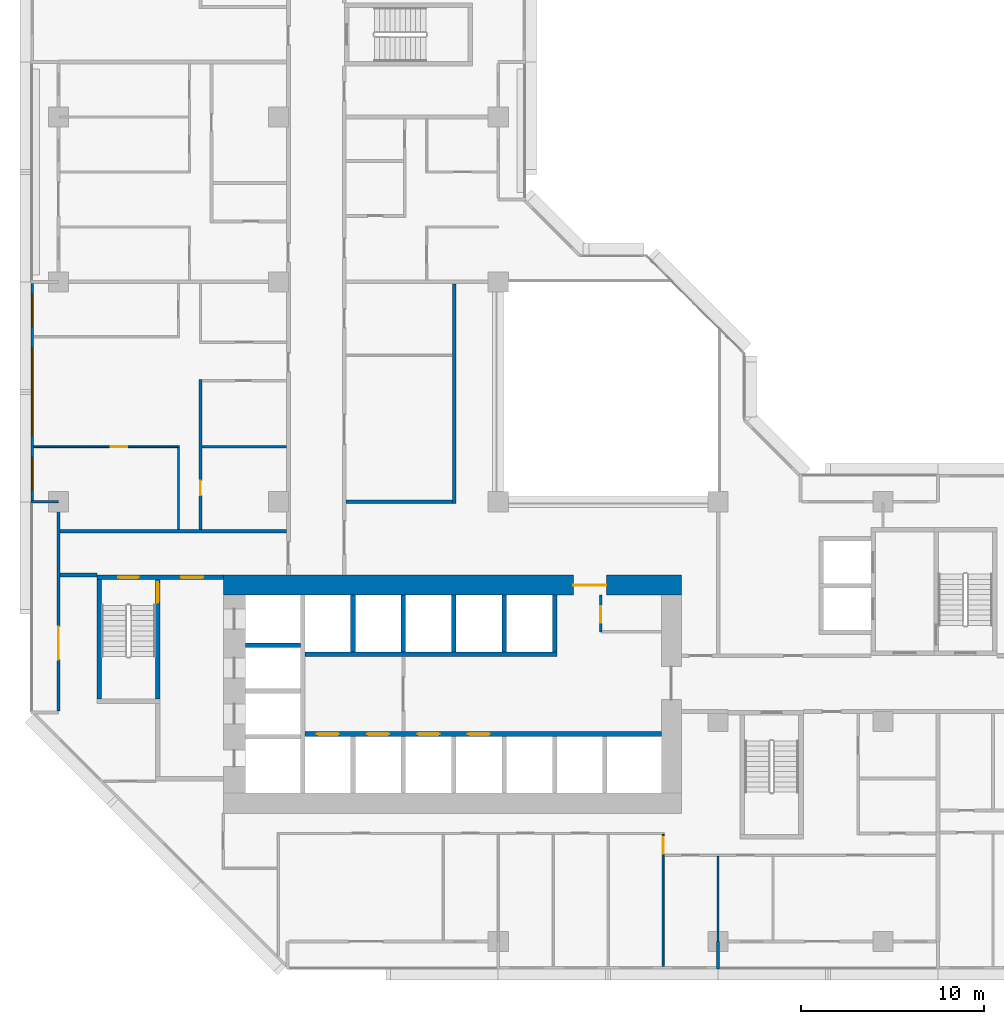
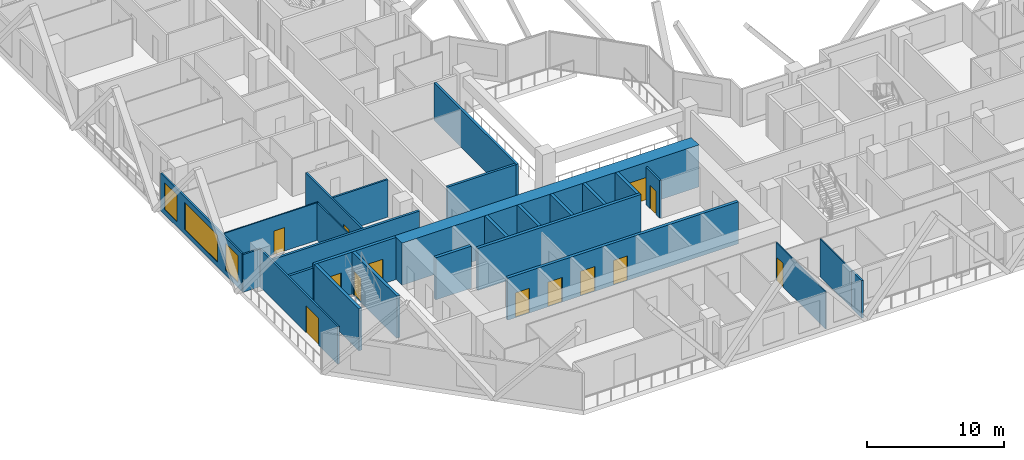
# One storey, part 5 of 16: 27 walls, 13 doors, 3 windows, 16 openings.
"""IFC4 building model written with IfcOpenShell, lengths in metres."""

from ifc_helpers import new_model, si_unit, direction, frame, frame_2d, origin, place, context, subcontext, project, spatial, rectangle, extrude, material, layer, layer_set, type_object, element, fill, save


model = new_model("IFC4")

# Units and contexts
model_context = context("Model", 3, precision=1e-05, world=origin(), true_north=direction((0.0, 1.0)))
body_context = subcontext(model_context, "Body", "Model", "MODEL_VIEW")
ifc_project = project(units=[si_unit("LENGTHUNIT", "METRE"), si_unit("AREAUNIT", "SQUARE_METRE"), si_unit("VOLUMEUNIT", "CUBIC_METRE"), si_unit("PLANEANGLEUNIT", "RADIAN"), si_unit("MASSUNIT", "GRAM", prefix="KILO")], contexts=[model_context])

# Site, building, storey
site_placement = place(None, origin())
site = spatial("IfcSite", under=ifc_project, at=site_placement, CompositionType="ELEMENT")
building_placement = place(site_placement, origin())
building = spatial("IfcBuilding", under=site, at=building_placement, Name="Chenar Terraces", CompositionType="ELEMENT")
storey_placement = place(building_placement, frame((0.0, 0.0, 71.39990234375)))
storey = spatial("IfcBuildingStorey", under=building, at=storey_placement, Name="L15", CompositionType="ELEMENT", Elevation=71.39990234375)

# Wall, opening, door
ifc_material_1 = material(Name="Gypsum board on steel studs", Category="steel")
ifc_layer_1 = layer(ifc_material_1, 0.14990234375)
ifc_layer_set_1 = layer_set([ifc_layer_1], Name="Gypsum board on steel studs")
wall_type_1 = type_object("IfcWallType", Name="Core partition 150 gypsum board", PredefinedType="PARTITIONING", material=ifc_layer_set_1)
wall_1_placement = place(storey_placement, frame((29.60009765625, 16.89990234375, 0.0), z_axis=(0.0, 0.0, 1.0), x_axis=(0.0, 1.0, 0.0)))
wall_1 = element("IfcWall", 1, at=wall_1_placement, inside=storey, type_object=wall_type_1, Name="Core partition CP1 vestibule room west wall", PredefinedType="PARTITIONING", context=body_context, shape_type="SweptSolid", body=[
    extrude(rectangle(XDim=2.0, YDim=0.14990234375, at=frame_2d((1.0, 0.0))), origin(), (0.0, 0.0, 1.0), 3.35009765625),
])
opening_1_placement = place(wall_1_placement, frame((0.5, 0.0, 0.0)))
opening_1 = element("IfcOpeningElement", 2, at=opening_1_placement, cuts=wall_1, Name="Opening DL15-C13", PredefinedType="OPENING", context=body_context, shape_type="SweptSolid", body=[
    extrude(rectangle(XDim=0.89990234375, YDim=2.10009765625, at=frame_2d((0.449951171875, 1.050048828125))), frame((0.0, 0.0849609375, 0.0), z_axis=(0.0, -1.0, 0.0), x_axis=(1.0, 0.0, 0.0)), (0.0, 0.0, 1.0), 0.169921875),
])
ifc_material_2 = material(Name="Steel-framed fire-resisting door leaf", Category="steel")
door_type_1 = type_object("IfcDoorType", Name="Riser fire door FD60 900 x 2100", OperationType="SINGLE_SWING_LEFT", PredefinedType="DOOR", material=ifc_material_2)
door_1_placement = place(opening_1_placement, frame((0.89990234375, 0.0, 0.0), z_axis=(0.0, 0.0, 1.0), x_axis=(-1.0, 0.0, 0.0)))
door_1 = element("IfcDoor", 3, at=door_1_placement, inside=storey, type_object=door_type_1, Name="Core room door DL15-C13", OperationType="SINGLE_SWING_RIGHT", OverallHeight=2.10009765625, OverallWidth=0.89990234375, PredefinedType="DOOR", context=body_context, shape_type="SweptSolid", body=[
    extrude(rectangle(XDim=0.89990234375, YDim=2.10009765625, at=frame_2d((0.449951171875, 1.050048828125))), frame((0.0, 0.02490234375, 0.0), z_axis=(0.0, -1.0, 0.0), x_axis=(1.0, 0.0, 0.0)), (0.0, 0.0, 1.0), 0.050048828125),
])
fill(opening_1, door_1)

ifc_material_3 = material(Name="Concrete C70/85", Category="concrete")
ifc_layer_2 = layer(ifc_material_3, 1.10009765625)
ifc_layer_set_2 = layer_set([ifc_layer_2], Name="Concrete C70/85")
wall_type_2 = type_object("IfcWallType", Name="Core wall 1100 Concrete C70/85", PredefinedType="SHEAR", material=ifc_layer_set_2)
wall_2_placement = place(storey_placement, frame((9.0, 19.449951171875, 0.0), z_axis=(0.0, 0.0, 1.0), x_axis=(1.0, 0.0, 0.0)))
wall_2 = element("IfcWall", 4, at=wall_2_placement, inside=storey, type_object=wall_type_2, Name="Core wall N L15", PredefinedType="SHEAR", context=body_context, shape_type="SweptSolid", body=[
    extrude(rectangle(XDim=25.0, YDim=1.10009765625, at=frame_2d((12.5, 0.0))), origin(), (0.0, 0.0, 1.0), 3.75),
])
opening_2_placement = place(wall_2_placement, frame((19.10009765625, 0.0, 0.0)))
opening_2 = element("IfcOpeningElement", 5, at=opening_2_placement, cuts=wall_2, Name="Opening DL15-C2", PredefinedType="OPENING", context=body_context, shape_type="SweptSolid", body=[
    extrude(rectangle(XDim=1.800048828125, YDim=2.39990234375, at=frame_2d((0.89990234375, 1.199951171875))), frame((0.0, 0.56005859375, 0.0), z_axis=(0.0, -1.0, 0.0), x_axis=(1.0, 0.0, 0.0)), (0.0, 0.0, 1.0), 1.1201171875),
])
ifc_material_4 = material(Name="Steel-framed fire-resisting door leaf", Category="steel")
door_type_2 = type_object("IfcDoorType", Name="Core entrance double fire door FD60 1800 x 2400", OperationType="DOUBLE_DOOR_SINGLE_SWING", PredefinedType="DOOR", material=ifc_material_4)
door_2_placement = place(opening_2_placement, origin())
door_2 = element("IfcDoor", 6, at=door_2_placement, inside=storey, type_object=door_type_2, Name="Core door DL15-C2", OperationType="DOUBLE_DOOR_SINGLE_SWING", OverallHeight=2.39990234375, OverallWidth=1.800048828125, PredefinedType="DOOR", context=body_context, shape_type="SweptSolid", body=[
    extrude(rectangle(XDim=1.800048828125, YDim=2.39990234375, at=frame_2d((0.89990234375, 1.199951171875))), frame((0.0, 0.02490234375, 0.0), z_axis=(0.0, -1.0, 0.0), x_axis=(1.0, 0.0, 0.0)), (0.0, 0.0, 1.0), 0.050048828125),
])
fill(opening_2, door_2)

# Wall, openings, doors
ifc_material_5 = material(Name="Concrete C70/85", Category="concrete")
ifc_layer_3 = layer(ifc_material_5, 0.25)
ifc_layer_set_3 = layer_set([ifc_layer_3], Name="Concrete C70/85")
wall_type_3 = type_object("IfcWallType", Name="Core wall 250 Concrete C70/85", PredefinedType="SHEAR", material=ifc_layer_set_3)
wall_3_placement = place(storey_placement, frame((13.449951171875, 11.324951171875, 0.0), z_axis=(0.0, 0.0, 1.0), x_axis=(1.0, 0.0, 0.0)))
wall_3 = element("IfcWall", 7, at=wall_3_placement, inside=storey, type_object=wall_type_3, Name="Core wall SF L15", PredefinedType="SHEAR", context=body_context, shape_type="SweptSolid", body=[
    extrude(rectangle(XDim=19.449951171875, YDim=0.25, at=frame_2d((9.72509765625, 0.0))), origin(), (0.0, 0.0, 1.0), 3.75),
])
opening_3_placement = place(wall_3_placement, frame((0.64990234375, 0.0, 0.0)))
opening_3 = element("IfcOpeningElement", 8, at=opening_3_placement, cuts=wall_3, Name="Opening DL15-LD1", PredefinedType="OPENING", context=body_context, shape_type="SweptSolid", body=[
    extrude(rectangle(XDim=1.199951171875, YDim=2.199951171875, at=frame_2d((0.60009765625, 1.10009765625))), frame((0.0, 0.135009765625, 0.0), z_axis=(0.0, -1.0, 0.0), x_axis=(1.0, 0.0, 0.0)), (0.0, 0.0, 1.0), 0.27001953125),
])
opening_4_placement = place(wall_3_placement, frame((3.39990234375, 0.0, 0.0)))
opening_4 = element("IfcOpeningElement", 9, at=opening_4_placement, cuts=wall_3, Name="Opening DL15-LD2", PredefinedType="OPENING", context=body_context, shape_type="SweptSolid", body=[
    extrude(rectangle(XDim=1.199951171875, YDim=2.199951171875, at=frame_2d((0.60009765625, 1.10009765625))), frame((0.0, 0.135009765625, 0.0), z_axis=(0.0, -1.0, 0.0), x_axis=(1.0, 0.0, 0.0)), (0.0, 0.0, 1.0), 0.27001953125),
])
opening_5_placement = place(wall_3_placement, frame((6.14990234375, 0.0, 0.0)))
opening_5 = element("IfcOpeningElement", 10, at=opening_5_placement, cuts=wall_3, Name="Opening DL15-LD3", PredefinedType="OPENING", context=body_context, shape_type="SweptSolid", body=[
    extrude(rectangle(XDim=1.199951171875, YDim=2.199951171875, at=frame_2d((0.60009765625, 1.10009765625))), frame((0.0, 0.135009765625, 0.0), z_axis=(0.0, -1.0, 0.0), x_axis=(1.0, 0.0, 0.0)), (0.0, 0.0, 1.0), 0.27001953125),
])
opening_6_placement = place(wall_3_placement, frame((8.89990234375, 0.0, 0.0)))
opening_6 = element("IfcOpeningElement", 11, at=opening_6_placement, cuts=wall_3, Name="Opening DL15-LD4", PredefinedType="OPENING", context=body_context, shape_type="SweptSolid", body=[
    extrude(rectangle(XDim=1.199951171875, YDim=2.199951171875, at=frame_2d((0.60009765625, 1.10009765625))), frame((0.0, 0.135009765625, 0.0), z_axis=(0.0, -1.0, 0.0), x_axis=(1.0, 0.0, 0.0)), (0.0, 0.0, 1.0), 0.27001953125),
])
ifc_material_6 = material(Name="Stainless steel", Category="steel")
door_type_3 = type_object("IfcDoorType", Name="Lift landing door 1200 x 2200 sliding", OperationType="DOUBLE_DOOR_SLIDING", PredefinedType="DOOR", material=ifc_material_6)
door_3_placement = place(opening_3_placement, origin())
door_3 = element("IfcDoor", 12, at=door_3_placement, inside=storey, type_object=door_type_3, Name="Landing door L1", OperationType="DOUBLE_DOOR_SLIDING", OverallHeight=2.199951171875, OverallWidth=1.199951171875, PredefinedType="DOOR", context=body_context, shape_type="SweptSolid", body=[
    extrude(rectangle(XDim=1.199951171875, YDim=2.199951171875, at=frame_2d((0.60009765625, 1.10009765625))), frame((0.0, 0.02490234375, 0.0), z_axis=(0.0, -1.0, 0.0), x_axis=(1.0, 0.0, 0.0)), (0.0, 0.0, 1.0), 0.050048828125),
])
fill(opening_3, door_3)
door_4_placement = place(opening_4_placement, origin())
door_4 = element("IfcDoor", 13, at=door_4_placement, inside=storey, type_object=door_type_3, Name="Landing door L2", OperationType="DOUBLE_DOOR_SLIDING", OverallHeight=2.199951171875, OverallWidth=1.199951171875, PredefinedType="DOOR", context=body_context, shape_type="SweptSolid", body=[
    extrude(rectangle(XDim=1.199951171875, YDim=2.199951171875, at=frame_2d((0.60009765625, 1.10009765625))), frame((0.0, 0.02490234375, 0.0), z_axis=(0.0, -1.0, 0.0), x_axis=(1.0, 0.0, 0.0)), (0.0, 0.0, 1.0), 0.050048828125),
])
fill(opening_4, door_4)
door_5_placement = place(opening_5_placement, origin())
door_5 = element("IfcDoor", 14, at=door_5_placement, inside=storey, type_object=door_type_3, Name="Landing door L3", OperationType="DOUBLE_DOOR_SLIDING", OverallHeight=2.199951171875, OverallWidth=1.199951171875, PredefinedType="DOOR", context=body_context, shape_type="SweptSolid", body=[
    extrude(rectangle(XDim=1.199951171875, YDim=2.199951171875, at=frame_2d((0.60009765625, 1.10009765625))), frame((0.0, 0.02490234375, 0.0), z_axis=(0.0, -1.0, 0.0), x_axis=(1.0, 0.0, 0.0)), (0.0, 0.0, 1.0), 0.050048828125),
])
fill(opening_5, door_5)
door_6_placement = place(opening_6_placement, origin())
door_6 = element("IfcDoor", 15, at=door_6_placement, inside=storey, type_object=door_type_3, Name="Landing door L4", OperationType="DOUBLE_DOOR_SLIDING", OverallHeight=2.199951171875, OverallWidth=1.199951171875, PredefinedType="DOOR", context=body_context, shape_type="SweptSolid", body=[
    extrude(rectangle(XDim=1.199951171875, YDim=2.199951171875, at=frame_2d((0.60009765625, 1.10009765625))), frame((0.0, 0.02490234375, 0.0), z_axis=(0.0, -1.0, 0.0), x_axis=(1.0, 0.0, 0.0)), (0.0, 0.0, 1.0), 0.050048828125),
])
fill(opening_6, door_6)

# Walls
wall_4_placement = place(storey_placement, frame((13.449951171875, 15.675048828125, 0.0), z_axis=(0.0, 0.0, 1.0), x_axis=(1.0, 0.0, 0.0)))
element("IfcWall", 16, at=wall_4_placement, inside=storey, type_object=wall_type_3, Name="Core wall NF L15", PredefinedType="SHEAR", context=body_context, shape_type="SweptSolid", body=[
    extrude(rectangle(XDim=13.75, YDim=0.25, at=frame_2d((6.875, 0.0))), origin(), (0.0, 0.0, 1.0), 3.75),
])
wall_5_placement = place(storey_placement, frame((10.199951171875, 16.175048828125, 0.0), z_axis=(0.0, 0.0, 1.0), x_axis=(1.0, 0.0, 0.0)))
element("IfcWall", 17, at=wall_5_placement, inside=storey, type_object=wall_type_3, Name="Core wall HW2 L15", PredefinedType="SHEAR", context=body_context, shape_type="SweptSolid", body=[
    extrude(rectangle(XDim=3.0, YDim=0.25, at=frame_2d((1.5, 0.0))), origin(), (0.0, 0.0, 1.0), 3.75),
])
for number, where, z_axis, x_axis, name in (
    (18, (16.074951171875, 15.800048828125, 0.0), (0.0, 0.0, 1.0), (0.0, 1.0, 0.0), "Core wall NS0 L15"),
    (19, (18.824951171875, 15.800048828125, 0.0), (0.0, 0.0, 1.0), (0.0, 1.0, 0.0), "Core wall NS1 L15"),
    (20, (21.574951171875, 15.800048828125, 0.0), (0.0, 0.0, 1.0), (0.0, 1.0, 0.0), "Core wall NS2 L15"),
    (21, (24.324951171875, 15.800048828125, 0.0), (0.0, 0.0, 1.0), (0.0, 1.0, 0.0), "Core wall NS3 L15"),
    (22, (27.074951171875, 15.800048828125, 0.0), (0.0, 0.0, 1.0), (0.0, 1.0, 0.0), "Core wall NE L15"),
):
    element("IfcWall", number, at=place(storey_placement, frame(where, z_axis=z_axis, x_axis=x_axis)), inside=storey, type_object=wall_type_3, Name=name, PredefinedType="SHEAR", context=body_context, shape_type="SweptSolid", body=[
        extrude(rectangle(XDim=3.099853515625, YDim=0.25, at=frame_2d((1.5498046875, 0.0))), origin(), (0.0, 0.0, 1.0), 3.75),
    ])

# Wall, openings, doors
wall_6_placement = place(storey_placement, frame((2.10009765625, 19.875, 0.0), z_axis=(0.0, 0.0, 1.0), x_axis=(1.0, 0.0, 0.0)))
wall_6 = element("IfcWall", 23, at=wall_6_placement, inside=storey, type_object=wall_type_3, Name="Core wall A_N L15", PredefinedType="SHEAR", context=body_context, shape_type="SweptSolid", body=[
    extrude(rectangle(XDim=6.89990234375, YDim=0.25, at=frame_2d((3.449951171875, 0.0))), origin(), (0.0, 0.0, 1.0), 3.75),
])
opening_7_placement = place(wall_6_placement, frame((1.175048828125, 0.0, 0.0)))
opening_7 = element("IfcOpeningElement", 24, at=opening_7_placement, cuts=wall_6, Name="Opening DL15-C5", PredefinedType="OPENING", context=body_context, shape_type="SweptSolid", body=[
    extrude(rectangle(XDim=1.10009765625, YDim=2.199951171875, at=frame_2d((0.550048828125, 1.10009765625))), frame((0.0, 0.135009765625, 0.0), z_axis=(0.0, -1.0, 0.0), x_axis=(1.0, 0.0, 0.0)), (0.0, 0.0, 1.0), 0.27001953125),
])
opening_8_placement = place(wall_6_placement, frame((4.60009765625, 0.0, 0.0)))
opening_8 = element("IfcOpeningElement", 25, at=opening_8_placement, cuts=wall_6, Name="Opening DL15-C6", PredefinedType="OPENING", context=body_context, shape_type="SweptSolid", body=[
    extrude(rectangle(XDim=1.199951171875, YDim=2.199951171875, at=frame_2d((0.60009765625, 1.10009765625))), frame((0.0, 0.135009765625, 0.0), z_axis=(0.0, -1.0, 0.0), x_axis=(1.0, 0.0, 0.0)), (0.0, 0.0, 1.0), 0.27001953125),
])
ifc_material_7 = material(Name="Steel-framed fire-resisting door leaf", Category="steel")
door_type_4 = type_object("IfcDoorType", Name="Lobby fire door FD60 1200 x 2200", OperationType="SINGLE_SWING_LEFT", PredefinedType="DOOR", material=ifc_material_7)
door_7_placement = place(opening_8_placement, frame((1.199951171875, 0.0, 0.0), z_axis=(0.0, 0.0, 1.0), x_axis=(-1.0, 0.0, 0.0)))
door_7 = element("IfcDoor", 26, at=door_7_placement, inside=storey, type_object=door_type_4, Name="Core door DL15-C6", OperationType="SINGLE_SWING_LEFT", OverallHeight=2.199951171875, OverallWidth=1.199951171875, PredefinedType="DOOR", context=body_context, shape_type="SweptSolid", body=[
    extrude(rectangle(XDim=1.199951171875, YDim=2.199951171875, at=frame_2d((0.60009765625, 1.10009765625))), frame((0.0, 0.02490234375, 0.0), z_axis=(0.0, -1.0, 0.0), x_axis=(1.0, 0.0, 0.0)), (0.0, 0.0, 1.0), 0.050048828125),
])
fill(opening_8, door_7)
ifc_material_8 = material(Name="Steel-framed fire-resisting door leaf", Category="steel")
door_type_5 = type_object("IfcDoorType", Name="Stair fire door FD60 1100 x 2200", OperationType="SINGLE_SWING_LEFT", PredefinedType="DOOR", material=ifc_material_8)
door_8_placement = place(opening_7_placement, origin())
door_8 = element("IfcDoor", 27, at=door_8_placement, inside=storey, type_object=door_type_5, Name="Stair door DL15-C5", OperationType="SINGLE_SWING_LEFT", OverallHeight=2.199951171875, OverallWidth=1.10009765625, PredefinedType="DOOR", context=body_context, shape_type="SweptSolid", body=[
    extrude(rectangle(XDim=1.10009765625, YDim=2.199951171875, at=frame_2d((0.550048828125, 1.10009765625))), frame((0.0, 0.02490234375, 0.0), z_axis=(0.0, -1.0, 0.0), x_axis=(1.0, 0.0, 0.0)), (0.0, 0.0, 1.0), 0.050048828125),
])
fill(opening_7, door_8)

# Wall
wall_7_placement = place(storey_placement, frame((2.22509765625, 13.25, 0.0), z_axis=(0.0, 0.0, 1.0), x_axis=(0.0, 1.0, 0.0)))
element("IfcWall", 28, at=wall_7_placement, inside=storey, type_object=wall_type_3, Name="Core wall ST1_W L15", PredefinedType="SHEAR", context=body_context, shape_type="SweptSolid", body=[
    extrude(rectangle(XDim=6.5, YDim=0.25, at=frame_2d((3.25, 0.0))), origin(), (0.0, 0.0, 1.0), 3.75),
])

# Wall, opening, door
wall_8_placement = place(storey_placement, frame((5.425048828125, 13.25, 0.0), z_axis=(0.0, 0.0, 1.0), x_axis=(0.0, 1.0, 0.0)))
wall_8 = element("IfcWall", 29, at=wall_8_placement, inside=storey, type_object=wall_type_3, Name="Core wall ST1_E L15", PredefinedType="SHEAR", context=body_context, shape_type="SweptSolid", body=[
    extrude(rectangle(XDim=6.5, YDim=0.25, at=frame_2d((3.25, 0.0))), origin(), (0.0, 0.0, 1.0), 3.75),
])
opening_9_placement = place(wall_8_placement, frame((5.25, 0.0, 0.0)))
opening_9 = element("IfcOpeningElement", 30, at=opening_9_placement, cuts=wall_8, Name="Opening DL15-C3", PredefinedType="OPENING", context=body_context, shape_type="SweptSolid", body=[
    extrude(rectangle(XDim=1.10009765625, YDim=2.199951171875, at=frame_2d((0.550048828125, 1.10009765625))), frame((0.0, 0.135009765625, 0.0), z_axis=(0.0, -1.0, 0.0), x_axis=(1.0, 0.0, 0.0)), (0.0, 0.0, 1.0), 0.27001953125),
])
door_9_placement = place(opening_9_placement, origin())
door_9 = element("IfcDoor", 31, at=door_9_placement, inside=storey, type_object=door_type_5, Name="Stair door DL15-C3", OperationType="SINGLE_SWING_RIGHT", OverallHeight=2.199951171875, OverallWidth=1.10009765625, PredefinedType="DOOR", context=body_context, shape_type="SweptSolid", body=[
    extrude(rectangle(XDim=1.10009765625, YDim=2.199951171875, at=frame_2d((0.550048828125, 1.10009765625))), frame((0.0, 0.02490234375, 0.0), z_axis=(0.0, -1.0, 0.0), x_axis=(1.0, 0.0, 0.0)), (0.0, 0.0, 1.0), 0.050048828125),
])
fill(opening_9, door_9)

# Walls
ifc_material_9 = material(Name="Gypsum board on steel studs with fire boards", Category="steel")
ifc_layer_4 = layer(ifc_material_9, 0.199951171875)
ifc_layer_set_4 = layer_set([ifc_layer_4], Name="Gypsum board on steel studs with fire boards")
wall_type_4 = type_object("IfcWallType", Name="Corridor wall 200", PredefinedType="PARTITIONING", material=ifc_layer_set_4)
wall_9_placement = place(storey_placement, frame((0.073974609375, 20.0, 0.0), z_axis=(0.0, 0.0, 1.0), x_axis=(1.0, 0.0, 0.0)))
element("IfcWall", 32, at=wall_9_placement, inside=storey, type_object=wall_type_4, Name="Partition L15-008", PredefinedType="PARTITIONING", context=body_context, shape_type="SweptSolid", body=[
    extrude(rectangle(XDim=2.026123046875, YDim=0.199951171875, at=frame_2d((1.01318359375, 0.0))), origin(), (0.0, 0.0, 1.0), 3.35009765625),
])
wall_10_placement = place(storey_placement, frame((0.073974609375, 22.39990234375, 0.0), z_axis=(0.0, 0.0, 1.0), x_axis=(1.0, 0.0, 0.0)))
element("IfcWall", 33, at=wall_10_placement, inside=storey, type_object=wall_type_4, Name="Partition L15-009", PredefinedType="PARTITIONING", context=body_context, shape_type="SweptSolid", body=[
    extrude(rectangle(XDim=12.3759765625, YDim=0.199951171875, at=frame_2d((6.18798828125, 0.0))), origin(), (0.0, 0.0, 1.0), 3.35009765625),
])
wall_11_placement = place(storey_placement, frame((15.699951171875, 24.0, 0.0), z_axis=(0.0, 0.0, 1.0), x_axis=(1.0, 0.0, 0.0)))
element("IfcWall", 34, at=wall_11_placement, inside=storey, type_object=wall_type_4, Name="Partition L15-038", PredefinedType="PARTITIONING", context=body_context, shape_type="SweptSolid", body=[
    extrude(rectangle(XDim=5.800048828125, YDim=0.199951171875, at=frame_2d((2.89990234375, 0.0))), origin(), (0.0, 0.0, 1.0), 3.35009765625),
])
wall_12_placement = place(storey_placement, frame((21.60009765625, 23.89990234375, 0.0), z_axis=(0.0, 0.0, 1.0), x_axis=(0.0, 1.0, 0.0)))
element("IfcWall", 35, at=wall_12_placement, inside=storey, type_object=wall_type_4, Name="Partition L15-057", PredefinedType="PARTITIONING", context=body_context, shape_type="SweptSolid", body=[
    extrude(rectangle(XDim=12.0, YDim=0.199951171875, at=frame_2d((6.0, 0.0))), origin(), (0.0, 0.0, 1.0), 3.35009765625),
])

# Wall, openings, windows
ifc_material_10 = material(Name="Aluminium framed glazing", Category="aluminium")
ifc_layer_5 = layer(ifc_material_10, 0.14990234375)
ifc_layer_set_5 = layer_set([ifc_layer_5], Name="Aluminium framed glazing")
wall_type_5 = type_object("IfcWallType", Name="Glazed flush facade wall 150", PredefinedType="SOLIDWALL", material=ifc_layer_set_5)
wall_13_placement = place(storey_placement, frame((-1.425048828125, 35.925048828125, 0.0), z_axis=(0.0, 0.0, 1.0), x_axis=(0.0, -1.0, 0.0)))
wall_13 = element("IfcWall", 36, at=wall_13_placement, inside=storey, type_object=wall_type_5, Name="Glazed flush facade wall", PredefinedType="SOLIDWALL", context=body_context, shape_type="SweptSolid", body=[
    extrude(rectangle(XDim=11.85009765625, YDim=0.14990234375, at=frame_2d((5.925048828125, 0.0))), origin(), (0.0, 0.0, 1.0), 3.35009765625),
])
opening_10_placement = place(wall_13_placement, frame((0.5625, 0.0, 0.449951171875)))
opening_10 = element("IfcOpeningElement", 37, at=opening_10_placement, cuts=wall_13, Name="Opening W180x240", PredefinedType="OPENING", context=body_context, shape_type="SweptSolid", body=[
    extrude(rectangle(XDim=1.800048828125, YDim=2.39990234375, at=frame_2d((0.89990234375, 1.199951171875))), frame((0.0, 0.0849609375, 0.0), z_axis=(0.0, -1.0, 0.0), x_axis=(1.0, 0.0, 0.0)), (0.0, 0.0, 1.0), 0.169921875),
])
opening_11_placement = place(wall_13_placement, frame((3.52490234375, 0.0, 0.449951171875)))
opening_11 = element("IfcOpeningElement", 38, at=opening_11_placement, cuts=wall_13, Name="Opening W480x240", PredefinedType="OPENING", context=body_context, shape_type="SweptSolid", body=[
    extrude(rectangle(XDim=4.800048828125, YDim=2.39990234375, at=frame_2d((2.39990234375, 1.199951171875))), frame((0.0, 0.0849609375, 0.0), z_axis=(0.0, -1.0, 0.0), x_axis=(1.0, 0.0, 0.0)), (0.0, 0.0, 1.0), 0.169921875),
])
opening_12_placement = place(wall_13_placement, frame((9.487548828125, 0.0, 0.449951171875)))
opening_12 = element("IfcOpeningElement", 39, at=opening_12_placement, cuts=wall_13, Name="Opening W180x240", PredefinedType="OPENING", context=body_context, shape_type="SweptSolid", body=[
    extrude(rectangle(XDim=1.800048828125, YDim=2.39990234375, at=frame_2d((0.89990234375, 1.199951171875))), frame((0.0, 0.0849609375, 0.0), z_axis=(0.0, -1.0, 0.0), x_axis=(1.0, 0.0, 0.0)), (0.0, 0.0, 1.0), 0.169921875),
])
ifc_material_11 = material(Name="Low emissivity double glazing, aluminium frame", Category="aluminium")
window_type_1 = type_object("IfcWindowType", Name="Fixed light 1800 x 2400", PartitioningType="SINGLE_PANEL", PredefinedType="WINDOW", material=ifc_material_11)
window_1_placement = place(opening_10_placement, origin())
window_1 = element("IfcWindow", 40, at=window_1_placement, inside=storey, type_object=window_type_1, Name="Window", OverallHeight=2.39990234375, OverallWidth=1.800048828125, PartitioningType="SINGLE_PANEL", PredefinedType="WINDOW", context=body_context, shape_type="SweptSolid", body=[
    extrude(rectangle(XDim=1.800048828125, YDim=2.39990234375, at=frame_2d((0.89990234375, 1.199951171875))), frame((0.0, 0.030029296875, 0.0), z_axis=(0.0, -1.0, 0.0), x_axis=(1.0, 0.0, 0.0)), (0.0, 0.0, 1.0), 0.06005859375),
])
fill(opening_10, window_1)
window_2_placement = place(opening_12_placement, origin())
window_2 = element("IfcWindow", 41, at=window_2_placement, inside=storey, type_object=window_type_1, Name="Window", OverallHeight=2.39990234375, OverallWidth=1.800048828125, PartitioningType="SINGLE_PANEL", PredefinedType="WINDOW", context=body_context, shape_type="SweptSolid", body=[
    extrude(rectangle(XDim=1.800048828125, YDim=2.39990234375, at=frame_2d((0.89990234375, 1.199951171875))), frame((0.0, 0.030029296875, 0.0), z_axis=(0.0, -1.0, 0.0), x_axis=(1.0, 0.0, 0.0)), (0.0, 0.0, 1.0), 0.06005859375),
])
fill(opening_12, window_2)
ifc_material_12 = material(Name="Low emissivity double glazing, aluminium frame", Category="aluminium")
window_type_2 = type_object("IfcWindowType", Name="Fixed light 4800 x 2400", PartitioningType="SINGLE_PANEL", PredefinedType="WINDOW", material=ifc_material_12)
window_3_placement = place(opening_11_placement, origin())
window_3 = element("IfcWindow", 42, at=window_3_placement, inside=storey, type_object=window_type_2, Name="Window", OverallHeight=2.39990234375, OverallWidth=4.800048828125, PartitioningType="SINGLE_PANEL", PredefinedType="WINDOW", context=body_context, shape_type="SweptSolid", body=[
    extrude(rectangle(XDim=4.800048828125, YDim=2.39990234375, at=frame_2d((2.39990234375, 1.199951171875))), frame((0.0, 0.030029296875, 0.0), z_axis=(0.0, -1.0, 0.0), x_axis=(1.0, 0.0, 0.0)), (0.0, 0.0, 1.0), 0.06005859375),
])
fill(opening_11, window_3)

# Wall, opening, door
ifc_material_13 = material(Name="Aluminium framed glazing", Category="aluminium")
ifc_layer_6 = layer(ifc_material_13, 0.14990234375)
ifc_layer_set_6 = layer_set([ifc_layer_6], Name="Aluminium framed glazing")
wall_type_6 = type_object("IfcWallType", Name="Glazed loggia back wall 150", PredefinedType="SOLIDWALL", material=ifc_layer_set_6)
wall_14_placement = place(storey_placement, frame((0.0, 23.925048828125, 0.0), z_axis=(0.0, 0.0, 1.0), x_axis=(0.0, -1.0, 0.0)))
wall_14 = element("IfcWall", 43, at=wall_14_placement, inside=storey, type_object=wall_type_6, Name="Glazed loggia back wall", PredefinedType="SOLIDWALL", context=body_context, shape_type="SweptSolid", body=[
    extrude(rectangle(XDim=11.35009765625, YDim=0.14990234375, at=frame_2d((5.675048828125, 0.0))), origin(), (0.0, 0.0, 1.0), 3.35009765625),
])
opening_13_placement = place(wall_14_placement, frame((6.737548828125, 0.0, 0.0)))
opening_13 = element("IfcOpeningElement", 44, at=opening_13_placement, cuts=wall_14, Name="Opening DL15-G4", PredefinedType="OPENING", context=body_context, shape_type="SweptSolid", body=[
    extrude(rectangle(XDim=1.800048828125, YDim=2.39990234375, at=frame_2d((0.89990234375, 1.199951171875))), frame((0.0, 0.0849609375, 0.0), z_axis=(0.0, -1.0, 0.0), x_axis=(1.0, 0.0, 0.0)), (0.0, 0.0, 1.0), 0.169921875),
])
ifc_material_14 = material(Name="Low emissivity double glazing, aluminium frame", Category="aluminium")
door_type_6 = type_object("IfcDoorType", Name="Loggia glazed double door 1800 x 2400", OperationType="DOUBLE_DOOR_SINGLE_SWING", PredefinedType="DOOR", material=ifc_material_14)
door_10_placement = place(opening_13_placement, frame((1.800048828125, 0.0, 0.0), z_axis=(0.0, 0.0, 1.0), x_axis=(-1.0, 0.0, 0.0)))
door_10 = element("IfcDoor", 45, at=door_10_placement, inside=storey, type_object=door_type_6, Name="Loggia glazed door", OperationType="DOUBLE_DOOR_SINGLE_SWING", OverallHeight=2.39990234375, OverallWidth=1.800048828125, PredefinedType="DOOR", context=body_context, shape_type="SweptSolid", body=[
    extrude(rectangle(XDim=1.800048828125, YDim=2.39990234375, at=frame_2d((0.89990234375, 1.199951171875))), frame((0.0, 0.02490234375, 0.0), z_axis=(0.0, -1.0, 0.0), x_axis=(1.0, 0.0, 0.0)), (0.0, 0.0, 1.0), 0.050048828125),
])
fill(opening_13, door_10)

ifc_material_15 = material(Name="Gypsum board on steel studs", Category="steel")
ifc_layer_7 = layer(ifc_material_15, 0.10009765625)
ifc_layer_set_7 = layer_set([ifc_layer_7], Name="Gypsum board on steel studs")
wall_type_7 = type_object("IfcWallType", Name="Gypsum partition 100", PredefinedType="PARTITIONING", material=ifc_layer_set_7)
wall_15_placement = place(storey_placement, frame((-1.35009765625, 27.0, 0.0), z_axis=(0.0, 0.0, 1.0), x_axis=(1.0, 0.0, 0.0)))
wall_15 = element("IfcWall", 46, at=wall_15_placement, inside=storey, type_object=wall_type_7, Name="Partition L15-003", PredefinedType="PARTITIONING", context=body_context, shape_type="SweptSolid", body=[
    extrude(rectangle(XDim=7.9501953125, YDim=0.10009765625, at=frame_2d((3.97509765625, 0.0))), origin(), (0.0, 0.0, 1.0), 3.35009765625),
])
opening_14_placement = place(wall_15_placement, frame((4.199951171875, 0.0, 0.0)))
opening_14 = element("IfcOpeningElement", 47, at=opening_14_placement, cuts=wall_15, Name="Opening DL15-71", PredefinedType="OPENING", context=body_context, shape_type="SweptSolid", body=[
    extrude(rectangle(XDim=0.89990234375, YDim=2.10009765625, at=frame_2d((0.449951171875, 1.050048828125))), frame((0.0, 0.06005859375, 0.0), z_axis=(0.0, -1.0, 0.0), x_axis=(1.0, 0.0, 0.0)), (0.0, 0.0, 1.0), 0.1201171875),
])
ifc_material_16 = material(Name="Veneered timber door leaf", Category="wood")
door_type_7 = type_object("IfcDoorType", Name="Door 900 x 2100", OperationType="SINGLE_SWING_LEFT", PredefinedType="DOOR", material=ifc_material_16)
door_11_placement = place(opening_14_placement, frame((0.89990234375, 0.0, 0.0), z_axis=(0.0, 0.0, 1.0), x_axis=(-1.0, 0.0, 0.0)))
door_11 = element("IfcDoor", 48, at=door_11_placement, inside=storey, type_object=door_type_7, Name="Door DL15-71", OperationType="SINGLE_SWING_LEFT", OverallHeight=2.10009765625, OverallWidth=0.89990234375, PredefinedType="DOOR", context=body_context, shape_type="SweptSolid", body=[
    extrude(rectangle(XDim=0.89990234375, YDim=2.10009765625, at=frame_2d((0.449951171875, 1.050048828125))), frame((0.0, 0.02490234375, 0.0), z_axis=(0.0, -1.0, 0.0), x_axis=(1.0, 0.0, 0.0)), (0.0, 0.0, 1.0), 0.050048828125),
])
fill(opening_14, door_11)

# Wall
wall_16_placement = place(storey_placement, frame((6.550048828125, 22.5, 0.0), z_axis=(0.0, 0.0, 1.0), x_axis=(0.0, 1.0, 0.0)))
element("IfcWall", 49, at=wall_16_placement, inside=storey, type_object=wall_type_7, Name="Partition L15-014", PredefinedType="PARTITIONING", context=body_context, shape_type="SweptSolid", body=[
    extrude(rectangle(XDim=4.449951171875, YDim=0.10009765625, at=frame_2d((2.22509765625, 0.0))), origin(), (0.0, 0.0, 1.0), 3.35009765625),
])

# Wall, opening, door
wall_17_placement = place(storey_placement, frame((33.0, -1.35107421875, 0.0), z_axis=(0.0, 0.0, 1.0), x_axis=(0.0, 1.0, 0.0)))
wall_17 = element("IfcWall", 50, at=wall_17_placement, inside=storey, type_object=wall_type_7, Name="Partition L15-061", PredefinedType="PARTITIONING", context=body_context, shape_type="SweptSolid", body=[
    extrude(rectangle(XDim=7.201171875, YDim=0.10009765625, at=frame_2d((3.6005859375, 0.0))), origin(), (0.0, 0.0, 1.0), 3.35009765625),
])
opening_15_placement = place(wall_17_placement, frame((6.15087890625, 0.0, 0.0)))
opening_15 = element("IfcOpeningElement", 51, at=opening_15_placement, cuts=wall_17, Name="Opening DL15-61", PredefinedType="OPENING", context=body_context, shape_type="SweptSolid", body=[
    extrude(rectangle(XDim=0.89990234375, YDim=2.10009765625, at=frame_2d((0.449951171875, 1.050048828125))), frame((0.0, 0.06005859375, 0.0), z_axis=(0.0, -1.0, 0.0), x_axis=(1.0, 0.0, 0.0)), (0.0, 0.0, 1.0), 0.1201171875),
])
door_12_placement = place(opening_15_placement, origin())
door_12 = element("IfcDoor", 52, at=door_12_placement, inside=storey, type_object=door_type_7, Name="Door DL15-61", OperationType="SINGLE_SWING_RIGHT", OverallHeight=2.10009765625, OverallWidth=0.89990234375, PredefinedType="DOOR", context=body_context, shape_type="SweptSolid", body=[
    extrude(rectangle(XDim=0.89990234375, YDim=2.10009765625, at=frame_2d((0.449951171875, 1.050048828125))), frame((0.0, 0.02490234375, 0.0), z_axis=(0.0, -1.0, 0.0), x_axis=(1.0, 0.0, 0.0)), (0.0, 0.0, 1.0), 0.050048828125),
])
fill(opening_15, door_12)

# Walls
wall_18_placement = place(storey_placement, frame((36.0, 0.0, 0.0), z_axis=(0.0, 0.0, 1.0), x_axis=(0.0, 1.0, 0.0)))
element("IfcWall", 53, at=wall_18_placement, inside=storey, type_object=wall_type_7, Name="Partition L15-065", PredefinedType="PARTITIONING", context=body_context, shape_type="SweptSolid", body=[
    extrude(rectangle(XDim=4.64990234375, YDim=0.10009765625, at=frame_2d((2.324951171875, 0.0))), origin(), (0.0, 0.0, 1.0), 3.35009765625),
])
ifc_material_17 = material(Name="Terracotta cladding on insulated backing", Category="masonry")
ifc_layer_8 = layer(ifc_material_17, 0.14990234375)
ifc_layer_set_8 = layer_set([ifc_layer_8], Name="Terracotta cladding on insulated backing")
wall_type_8 = type_object("IfcWallType", Name="Loggia return wall 150", PredefinedType="SOLIDWALL", material=ifc_layer_set_8)
for number, where, z_axis, x_axis, name in (
    (54, (-1.5, 24.0, 0.0), (0.0, 0.0, 1.0), (1.0, 0.0, 0.0), "Loggia return wall"),
    (55, (36.0, -1.5, 0.0), (0.0, 0.0, 1.0), (0.0, 1.0, 0.0), "Loggia return wall"),
):
    element("IfcWall", number, at=place(storey_placement, frame(where, z_axis=z_axis, x_axis=x_axis)), inside=storey, type_object=wall_type_8, Name=name, PredefinedType="SOLIDWALL", context=body_context, shape_type="SweptSolid", body=[
        extrude(rectangle(XDim=1.5, YDim=0.14990234375, at=frame_2d((0.75, 0.0))), origin(), (0.0, 0.0, 1.0), 3.35009765625),
    ])

# Wall, opening, door
ifc_material_18 = material(Name="Moisture-resistant gypsum board on steel studs", Category="steel")
ifc_layer_9 = layer(ifc_material_18, 0.14990234375)
ifc_layer_set_9 = layer_set([ifc_layer_9], Name="Moisture-resistant gypsum board on steel studs")
wall_type_9 = type_object("IfcWallType", Name="Wet-room partition 150", PredefinedType="PARTITIONING", material=ifc_layer_set_9)
wall_19_placement = place(storey_placement, frame((7.75, 22.5, 0.0), z_axis=(0.0, 0.0, 1.0), x_axis=(0.0, 1.0, 0.0)))
wall_19 = element("IfcWall", 56, at=wall_19_placement, inside=storey, type_object=wall_type_9, Name="Partition L15-020", PredefinedType="PARTITIONING", context=body_context, shape_type="SweptSolid", body=[
    extrude(rectangle(XDim=8.175048828125, YDim=0.14990234375, at=frame_2d((4.08740234375, 0.0))), origin(), (0.0, 0.0, 1.0), 3.35009765625),
])
opening_16_placement = place(wall_19_placement, frame((1.85009765625, 0.0, 0.0)))
opening_16 = element("IfcOpeningElement", 57, at=opening_16_placement, cuts=wall_19, Name="Opening DL15-74", PredefinedType="OPENING", context=body_context, shape_type="SweptSolid", body=[
    extrude(rectangle(XDim=0.800048828125, YDim=2.10009765625, at=frame_2d((0.39990234375, 1.050048828125))), frame((0.0, 0.0849609375, 0.0), z_axis=(0.0, -1.0, 0.0), x_axis=(1.0, 0.0, 0.0)), (0.0, 0.0, 1.0), 0.169921875),
])
ifc_material_19 = material(Name="Veneered timber door leaf", Category="wood")
door_type_8 = type_object("IfcDoorType", Name="Door 800 x 2100", OperationType="SINGLE_SWING_LEFT", PredefinedType="DOOR", material=ifc_material_19)
door_13_placement = place(opening_16_placement, frame((0.800048828125, 0.0, 0.0), z_axis=(0.0, 0.0, 1.0), x_axis=(-1.0, 0.0, 0.0)))
door_13 = element("IfcDoor", 58, at=door_13_placement, inside=storey, type_object=door_type_8, Name="Door DL15-74", OperationType="SINGLE_SWING_LEFT", OverallHeight=2.10009765625, OverallWidth=0.800048828125, PredefinedType="DOOR", context=body_context, shape_type="SweptSolid", body=[
    extrude(rectangle(XDim=0.800048828125, YDim=2.10009765625, at=frame_2d((0.39990234375, 1.050048828125))), frame((0.0, 0.02490234375, 0.0), z_axis=(0.0, -1.0, 0.0), x_axis=(1.0, 0.0, 0.0)), (0.0, 0.0, 1.0), 0.050048828125),
])
fill(opening_16, door_13)

# Wall
wall_20_placement = place(storey_placement, frame((7.824951171875, 27.0, 0.0), z_axis=(0.0, 0.0, 1.0), x_axis=(1.0, 0.0, 0.0)))
element("IfcWall", 59, at=wall_20_placement, inside=storey, type_object=wall_type_9, Name="Partition L15-023", PredefinedType="PARTITIONING", context=body_context, shape_type="SweptSolid", body=[
    extrude(rectangle(XDim=4.625, YDim=0.14990234375, at=frame_2d((2.3125, 0.0))), origin(), (0.0, 0.0, 1.0), 3.35009765625),
])

save(model, "model.ifc")
